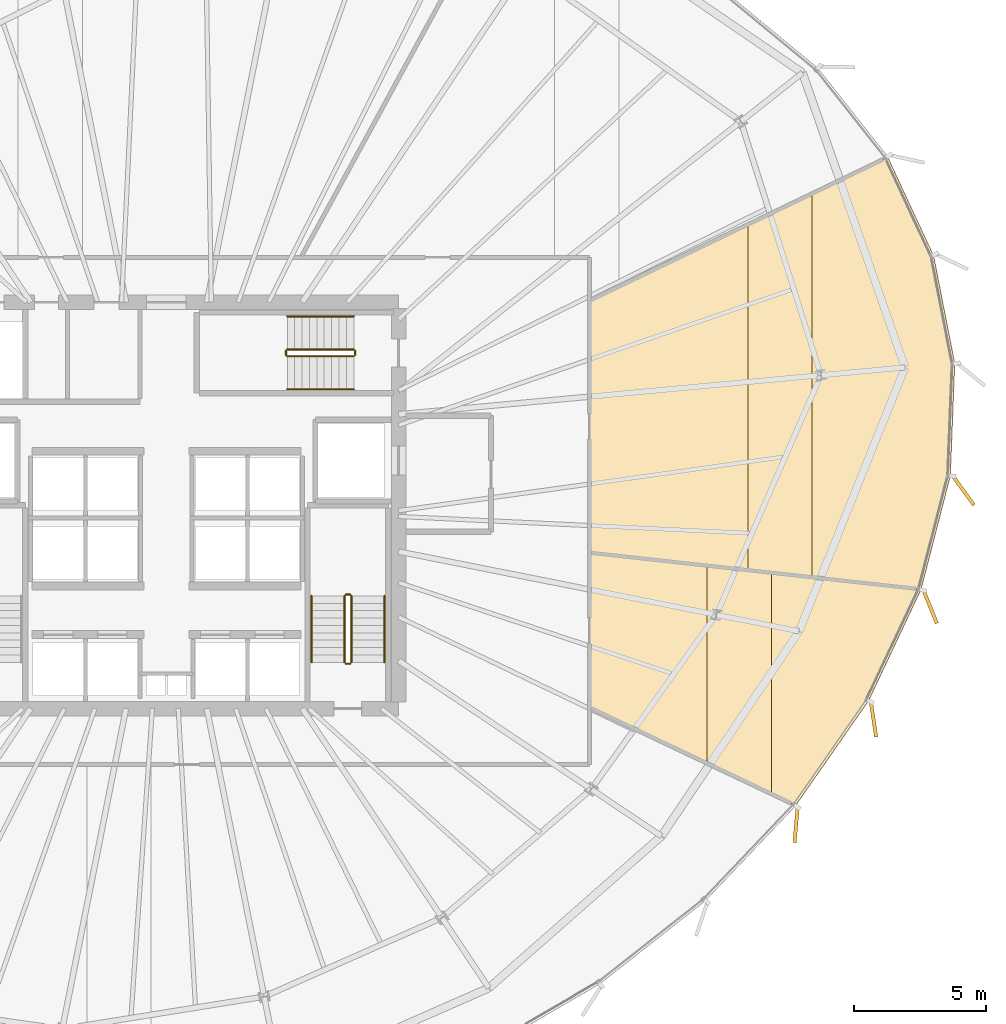
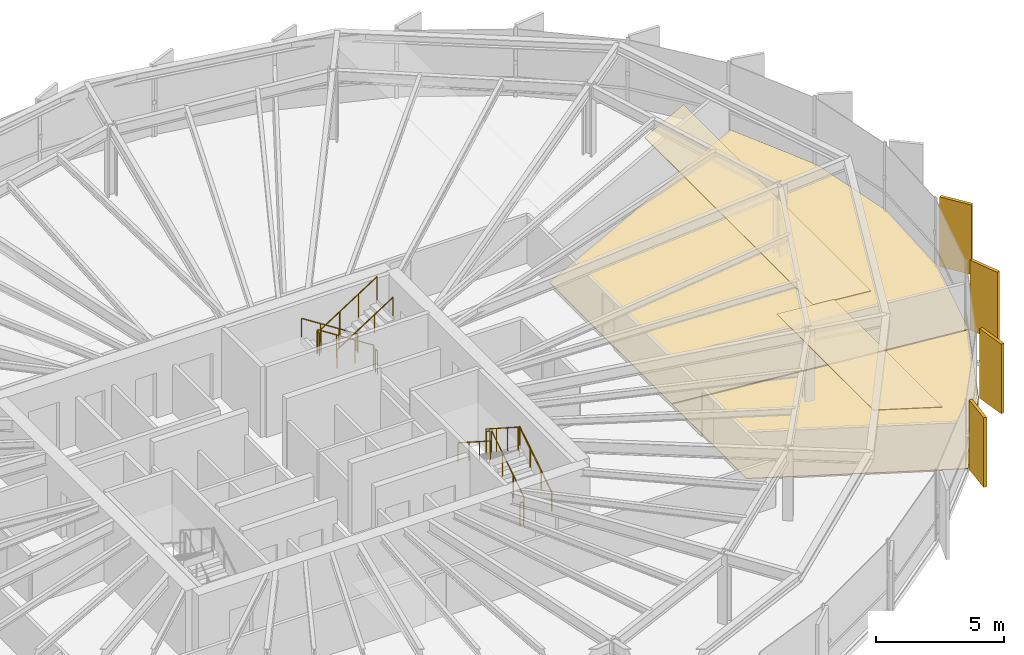
# One storey, part 34 of 35: 12 railings, 8 coverings.
"""IFC4 building model written with IfcOpenShell, lengths in metres."""

import ifcopenshell
import ifcopenshell.guid

model = None  # the IFC model being written
_history = None  # IfcOwnerHistory: only IFC2X3 demands one
_inside = {}  # id of a spatial element -> (the spatial element, [elements in it])
_under = {}  # id of a project, library or spatial element -> (it, [spatial elements below it])
_declared = {}  # id of a project -> (the project, [libraries it declares])
_typed = {}  # id of a type object -> (the type object, [elements of that type])
_made_of = {}  # id of a material, layer set ... -> (it, [elements and type objects made of it])


def new_model(schema):
    """Start an empty IFC model of exactly this schema.

    Asked for "IFC4X3", IfcOpenShell would pick the latest addendum, in which some entities
    have other attributes; the version numbers below select the first issue.
    IFC2X3 requires an IfcOwnerHistory on every rooted entity: one is made here for all.
    """
    global model, _history
    if schema == "IFC4X3":
        model = ifcopenshell.file(schema_version=(4, 3, 0, 0))
    else:
        model = ifcopenshell.file(schema=schema)
    _inside.clear()
    _under.clear()
    _declared.clear()
    _typed.clear()
    _made_of.clear()
    _history = None
    if model.schema == "IFC2X3":
        org = make("IfcOrganization", Name="unknown")
        user = make(
            "IfcPersonAndOrganization",
            ThePerson=make("IfcPerson", FamilyName="unknown"),
            TheOrganization=org,
        )
        app = make(
            "IfcApplication",
            ApplicationDeveloper=org,
            Version="unknown",
            ApplicationFullName="unknown",
            ApplicationIdentifier="unknown",
        )
        _history = make(
            "IfcOwnerHistory",
            OwningUser=user,
            OwningApplication=app,
            ChangeAction="ADDED",
            CreationDate=0,
        )
    return model


def make(cls, **values):
    """One entity of the class cls with the attributes given. An attribute that is None is left unset."""
    return model.create_entity(
        cls, **{name: value for name, value in values.items() if value is not None}
    )


def rooted(cls, **values):
    """An entity with a GlobalId (a new one), such as an element, a storey or a relation."""
    return make(cls, GlobalId=ifcopenshell.guid.new(), OwnerHistory=_history, **values)


def si_unit(unit_type, name, prefix=None):
    """IfcSIUnit, for example si_unit("LENGTHUNIT", "METRE", prefix="MILLI")."""
    return make("IfcSIUnit", UnitType=unit_type, Prefix=prefix, Name=name)


def assignment(units):
    """IfcUnitAssignment: the units of a project."""
    return None if units is None else make("IfcUnitAssignment", Units=units)


def point(xyz):
    """IfcCartesianPoint."""
    return None if xyz is None else make("IfcCartesianPoint", Coordinates=xyz)


def direction(xyz):
    """IfcDirection."""
    return None if xyz is None else make("IfcDirection", DirectionRatios=xyz)


def frame(location, z_axis=None, x_axis=None):
    """IfcAxis2Placement3D, a coordinate frame: its origin and axes. An axis left out is left unset."""
    return make(
        "IfcAxis2Placement3D",
        Location=point(location),
        Axis=direction(z_axis),
        RefDirection=direction(x_axis),
    )


def frame_2d(location, x_axis=None):
    """IfcAxis2Placement2D, a coordinate frame in the plane: its origin and x axis."""
    return make(
        "IfcAxis2Placement2D", Location=point(location), RefDirection=direction(x_axis)
    )


def origin():
    """The frame at (0, 0, 0) with its axes left unset."""
    return frame((0.0, 0.0, 0.0))


def origin_2d():
    """The frame at (0, 0) in the plane with its x axis left unset."""
    return frame_2d((0.0, 0.0))


def place(relative_to, where):
    """IfcLocalPlacement: puts the frame where relative to a parent placement (None: the world)."""
    return make(
        "IfcLocalPlacement", PlacementRelTo=relative_to, RelativePlacement=where
    )


def context(
    kind, dimensions, precision=None, world=None, true_north=None, identifier=None
):
    """IfcGeometricRepresentationContext, for example the 3D "Model" context."""
    return make(
        "IfcGeometricRepresentationContext",
        ContextIdentifier=identifier,
        ContextType=kind,
        CoordinateSpaceDimension=dimensions,
        Precision=precision,
        WorldCoordinateSystem=world,
        TrueNorth=true_north,
    )


def subcontext(parent, identifier, kind, view, scale=None):
    """IfcGeometricRepresentationSubContext, for example "Body" below "Model"."""
    return make(
        "IfcGeometricRepresentationSubContext",
        ContextIdentifier=identifier,
        ContextType=kind,
        ParentContext=parent,
        TargetScale=scale,
        TargetView=view,
    )


def project(units=None, contexts=None):
    """IfcProject with its units and contexts."""
    return rooted(
        "IfcProject",
        Name="project",
        RepresentationContexts=contexts,
        UnitsInContext=assignment(units),
    )


def spatial(cls, under=None, at=None, **own):
    """A site, building, storey or space (cls), placed at a placement, below another one or the project."""
    s = rooted(cls, ObjectPlacement=at, **own)
    if under is not None:
        _under.setdefault(under.id(), (under, []))[1].append(s)
    return s


def polyline(points):
    """IfcPolyline through the points."""
    return make("IfcPolyline", Points=[point(p) for p in points])


def profile(cls, at=None, kind="AREA", **sizes):
    """A parametric profile (cls). Its sizes go by their IFC names, for example OverallWidth=200.0."""
    return make(cls, ProfileType=kind, Position=at, **sizes)


def rectangle(**sizes):
    """IfcRectangleProfileDef."""
    return profile("IfcRectangleProfileDef", **sizes)


def circle(**sizes):
    """IfcCircleProfileDef."""
    return profile("IfcCircleProfileDef", **sizes)


def outline(outer, holes=None, kind="AREA"):
    """IfcArbitraryClosedProfileDef: a profile drawn as a closed curve; with holes, ...WithVoids."""
    if holes is None:
        return make("IfcArbitraryClosedProfileDef", ProfileType=kind, OuterCurve=outer)
    return make(
        "IfcArbitraryProfileDefWithVoids",
        ProfileType=kind,
        OuterCurve=outer,
        InnerCurves=holes,
    )


def extrude(swept, where, along, depth):
    """IfcExtrudedAreaSolid: the profile swept, set in the frame where, extruded along a direction by depth."""
    return make(
        "IfcExtrudedAreaSolid",
        SweptArea=swept,
        Position=where,
        ExtrudedDirection=direction(along),
        Depth=depth,
    )


def shape(context_of_items, identifier, shape_type, items):
    """IfcShapeRepresentation: the items that make up one representation, for example the "Body"."""
    return make(
        "IfcShapeRepresentation",
        ContextOfItems=context_of_items,
        RepresentationIdentifier=identifier,
        RepresentationType=shape_type,
        Items=items,
    )


def source(mapping_origin, context_of_items, identifier, shape_type, items):
    """IfcRepresentationMap: a shape defined once, which mapped items show again and again."""
    return make(
        "IfcRepresentationMap",
        MappingOrigin=mapping_origin,
        MappedRepresentation=shape(context_of_items, identifier, shape_type, items),
    )


def transform(
    local_origin,
    x_axis=None,
    y_axis=None,
    z_axis=None,
    scale=None,
    scale2=None,
    scale3=None,
    uniform=True,
):
    """IfcCartesianTransformationOperator3D, or its non-uniform kind. x_axis, y_axis, z_axis: its Axis1, 2, 3."""
    if uniform:
        return make(
            "IfcCartesianTransformationOperator3D",
            Axis1=direction(x_axis),
            Axis2=direction(y_axis),
            LocalOrigin=point(local_origin),
            Scale=scale,
            Axis3=direction(z_axis),
        )
    return make(
        "IfcCartesianTransformationOperator3DnonUniform",
        Axis1=direction(x_axis),
        Axis2=direction(y_axis),
        LocalOrigin=point(local_origin),
        Scale=scale,
        Axis3=direction(z_axis),
        Scale2=scale2,
        Scale3=scale3,
    )


def mapped(mapping_source, mapping_target):
    """IfcMappedItem: shows the shape of a source again, moved by a transform."""
    return make(
        "IfcMappedItem", MappingSource=mapping_source, MappingTarget=mapping_target
    )


def material(Name=None, Category=None):
    """IfcMaterial."""
    return make("IfcMaterial", Name=Name, Category=Category)


def layer(
    of_material, thickness, ventilated=None, Name=None, Category=None, Priority=None
):
    """IfcMaterialLayer: one layer of a wall or slab, of a material (None: an air gap)."""
    return make(
        "IfcMaterialLayer",
        Material=of_material,
        LayerThickness=thickness,
        IsVentilated=ventilated,
        Name=Name,
        Category=Category,
        Priority=Priority,
    )


def layer_set(layers, Name=None):
    """IfcMaterialLayerSet."""
    return make("IfcMaterialLayerSet", MaterialLayers=layers, LayerSetName=Name)


def made_of(thing, what):
    """Note that an element or type object is made of a material, layer set ...; save() writes the relation."""
    if what is not None:
        _made_of.setdefault(what.id(), (what, []))[1].append(thing)
    return thing


def type_object(cls, material=None, **own):
    """A type object (cls), such as IfcWallType, which elements share."""
    return made_of(rooted(cls, **own), material)


def element(
    cls,
    number,
    at=None,
    inside=None,
    cuts=None,
    type_object=None,
    material=None,
    context=None,
    identifier="Body",
    shape_type=None,
    held_by="IfcProductDefinitionShape",
    body=None,
    shapes=None,
    **own,
):
    """One element of the class cls, such as IfcWall. Its Tag is "e" and its number.

    at: its placement. inside: the storey or other place that contains it. cuts: it is an
    opening in that element (IfcRelVoidsElement). A single representation is given by context,
    identifier, shape_type and body (its items); several are given by shapes. held_by: the class
    of the entity that holds the representations. save() writes the other relations.
    """
    e = rooted(cls, Tag="e%d" % number, ObjectPlacement=at, **own)
    if body is not None:
        shapes = [shape(context, identifier, shape_type, body)]
    if shapes is not None:
        e.Representation = make(held_by, Representations=shapes)
    if inside is not None:
        _inside.setdefault(inside.id(), (inside, []))[1].append(e)
    if cuts is not None:
        rooted(
            "IfcRelVoidsElement", RelatingBuildingElement=cuts, RelatedOpeningElement=e
        )
    if type_object is not None:
        _typed.setdefault(type_object.id(), (type_object, []))[1].append(e)
    return made_of(e, material)


def aggregate(whole, parts):
    """IfcRelAggregates: a whole, such as a stair, and the parts it consists of."""
    return rooted("IfcRelAggregates", RelatingObject=whole, RelatedObjects=parts)


def save(model, path):
    """Write the relations noted so far, then the file.

    IfcRelAggregates (storeys below a building ...), IfcRelContainedInSpatialStructure (elements
    in a storey), IfcRelDefinesByType, IfcRelAssociatesMaterial and IfcRelDeclares: one each for
    every whole, place, type object, material and project.
    """
    for whole, parts in _under.values():
        aggregate(whole, parts)
    for where, things in _inside.values():
        rooted(
            "IfcRelContainedInSpatialStructure",
            RelatedElements=things,
            RelatingStructure=where,
        )
    for kind, things in _typed.values():
        rooted("IfcRelDefinesByType", RelatedObjects=things, RelatingType=kind)
    for what, things in _made_of.values():
        rooted("IfcRelAssociatesMaterial", RelatedObjects=things, RelatingMaterial=what)
    for by, libraries in _declared.values():
        rooted("IfcRelDeclares", RelatingContext=by, RelatedDefinitions=libraries)
    model.write(path)


model = new_model("IFC4")

# Units and contexts
model_context = context("Model", 3, precision=1e-05, world=origin(), true_north=direction((0.0, 1.0)))
body_context = subcontext(model_context, "Body", "Model", "MODEL_VIEW")
ifc_project = project(units=[si_unit("LENGTHUNIT", "METRE"), si_unit("AREAUNIT", "SQUARE_METRE"), si_unit("VOLUMEUNIT", "CUBIC_METRE"), si_unit("PLANEANGLEUNIT", "RADIAN"), si_unit("MASSUNIT", "GRAM", prefix="KILO"), si_unit("THERMODYNAMICTEMPERATUREUNIT", "KELVIN")], contexts=[model_context])

# Site, building, storey
site_placement = place(None, origin())
site = spatial("IfcSite", under=ifc_project, at=site_placement, CompositionType="ELEMENT")
building_placement = place(site_placement, origin())
building = spatial("IfcBuilding", under=site, at=building_placement, Name="Kethvar Cultural Tower", CompositionType="ELEMENT")
storey_placement = place(building_placement, frame((0.0, 0.0, 107.199951171875)))
storey = spatial("IfcBuildingStorey", under=building, at=storey_placement, Name="L26", CompositionType="ELEMENT", Elevation=107.199951171875)

# Coverings
ifc_material_1 = material(Name="Acoustic Mineral Fibre Ceiling")
ifc_layer_1 = layer(ifc_material_1, 0.0400390625, Name="Acoustic Mineral Fibre Ceiling")
ifc_layer_set_1 = layer_set([ifc_layer_1], Name="Acoustic Mineral Fibre Ceiling (40 mm)")
covering_type_1 = type_object("IfcCoveringType", Name="CV-ACOUSTIC-CEIL", PredefinedType="CEILING", material=ifc_layer_set_1)
covering_1_placement = place(storey_placement, frame((0.0, 0.0, 3.0)))
element("IfcCovering", 1, at=covering_1_placement, inside=storey, type_object=covering_type_1, Name="L26 Room 02 Acoustic Ceiling Panel", PredefinedType="CEILING", context=body_context, shape_type="SweptSolid", body=[
    extrude(outline(polyline([(67.294677734375, 17.9892578125), (67.294677734375, 25.529541015625), (69.724609375, 25.2578125), (69.724609375, 16.82861328125), (67.294677734375, 17.9892578125)])), origin(), (0.0, 0.0, 1.0), 0.0400390625),
])
covering_2_placement = place(storey_placement, frame((0.0, 0.0, 3.0)))
element("IfcCovering", 2, at=covering_2_placement, inside=storey, type_object=covering_type_1, Name="L26 Room 03 Acoustic Ceiling Panel", PredefinedType="CEILING", context=body_context, shape_type="SweptSolid", body=[
    extrude(outline(polyline([(68.832763671875, 25.3173828125), (68.832763671875, 38.477783203125), (71.2626953125, 39.653076171875), (71.2626953125, 25.0458984375), (68.832763671875, 25.3173828125)])), origin(), (0.0, 0.0, 1.0), 0.0400390625),
])
ifc_material_2 = material(Name="Architectural Oak Timber", Category="wood")
ifc_layer_2 = layer(ifc_material_2, 0.02490234375, Name="Architectural Oak Timber", Category="wood")
ifc_layer_set_2 = layer_set([ifc_layer_2], Name="Architectural Oak Timber (25 mm)")
covering_type_2 = type_object("IfcCoveringType", Name="CV-OAK-FLOOR", PredefinedType="FLOORING", material=ifc_layer_set_2)
covering_3_placement = place(storey_placement, origin())
element("IfcCovering", 3, at=covering_3_placement, inside=storey, type_object=covering_type_2, Name="L26 Room 02 Floor Finish", PredefinedType="FLOORING", context=body_context, shape_type="SweptSolid", body=[
    extrude(outline(polyline([(73.4072265625, 20.397705078125), (70.647216796875, 16.4326171875), (62.85009765625, 20.156494140625), (62.85009765625, 25.986083984375), (75.38330078125, 24.585205078125), (73.4072265625, 20.397705078125)])), origin(), (0.0, 0.0, 1.0), 0.025146484375),
])
covering_4_placement = place(storey_placement, origin())
element("IfcCovering", 4, at=covering_4_placement, inside=storey, type_object=covering_type_2, Name="L26 Room 03 Floor Finish", PredefinedType="FLOORING", context=body_context, shape_type="SweptSolid", body=[
    extrude(outline(polyline([(76.5048828125, 28.913818359375), (75.398193359375, 24.623779296875), (62.85009765625, 26.0263671875), (62.85009765625, 35.5400390625), (74.1337890625, 40.9970703125), (75.87548828125, 37.247314453125), (76.674072265625, 33.172119140625), (76.5048828125, 28.913818359375)])), origin(), (0.0, 0.0, 1.0), 0.025146484375),
])

# Railings
ifc_material_3 = material(Name="Steel S355J2", Category="steel")
railing_type_1 = type_object("IfcRailingType", Name="RL-STAIR-GUARD", PredefinedType="BALUSTRADE", material=ifc_material_3)
railing_1_placement = place(storey_placement, frame((53.81005859375, 21.85009765625, 0.179931640625)))
element("IfcRailing", 5, at=railing_1_placement, inside=storey, type_object=railing_type_1, Name="L26 ST-02 stair guard 1", PredefinedType="BALUSTRADE", context=body_context, shape_type="SweptSolid", body=[
    extrude(circle(Radius=0.02392578125, at=origin_2d()), frame((0.0, 0.0, 1.09619140625), z_axis=(0.0, 0.841162588446, 0.540782303519), x_axis=(-1.0, 0.0, 0.0)), (0.0, 0.0, 1.0), 2.995849609375),
    extrude(circle(Radius=0.02099609375, at=origin_2d()), origin(), (0.0, 0.0, 1.0), 1.072021484375),
    extrude(circle(Radius=0.02099609375, at=origin_2d()), frame((0.0, 0.840087890625, 0.5400390625)), (0.0, 0.0, 1.0), 1.072021484375),
    extrude(circle(Radius=0.02099609375, at=origin_2d()), frame((0.0, 1.679931640625, 1.080078125)), (0.0, 0.0, 1.0), 1.072021484375),
    extrude(circle(Radius=0.02099609375, at=origin_2d()), frame((0.0, 2.52001953125, 1.6201171875)), (0.0, 0.0, 1.0), 1.072021484375),
])
railing_2_placement = place(storey_placement, frame((53.760009765625, 24.419921875, 1.800048828125)))
element("IfcRailing", 6, at=railing_2_placement, inside=storey, type_object=railing_type_1, Name="L26 ST-02 stair guard 2", PredefinedType="BALUSTRADE", context=body_context, shape_type="SweptSolid", body=[
    extrude(circle(Radius=0.02392578125, at=origin_2d()), frame((0.0, 0.0, 1.09619140625), z_axis=(-1.0, 0.0, 0.0), x_axis=(0.0, -1.0, 0.0)), (0.0, 0.0, 1.0), 0.159912109375),
    extrude(circle(Radius=0.02099609375, at=origin_2d()), origin(), (0.0, 0.0, 1.0), 1.072021484375),
    extrude(circle(Radius=0.02099609375, at=origin_2d()), frame((-0.159912109375, 0.0, 0.0)), (0.0, 0.0, 1.0), 1.072021484375),
])
railing_3_placement = place(storey_placement, frame((53.550048828125, 24.3701171875, 1.97998046875)))
element("IfcRailing", 7, at=railing_3_placement, inside=storey, type_object=railing_type_1, Name="L26 ST-02 stair guard 3", PredefinedType="BALUSTRADE", context=body_context, shape_type="SweptSolid", body=[
    extrude(circle(Radius=0.02392578125, at=origin_2d()), frame((0.0, 0.0, 1.09619140625), z_axis=(0.0, -0.841162588446, 0.540782303519), x_axis=(1.0, 0.0, 0.0)), (0.0, 0.0, 1.0), 2.995849609375),
    extrude(circle(Radius=0.02099609375, at=origin_2d()), origin(), (0.0, 0.0, 1.0), 1.072021484375),
    extrude(circle(Radius=0.02099609375, at=origin_2d()), frame((0.0, -0.840087890625, 0.5400390625)), (0.0, 0.0, 1.0), 1.072021484375),
    extrude(circle(Radius=0.02099609375, at=origin_2d()), frame((0.0, -1.679931640625, 1.080078125)), (0.0, 0.0, 1.0), 1.072021484375),
    extrude(circle(Radius=0.02099609375, at=origin_2d()), frame((0.0, -2.52001953125, 1.6201171875)), (0.0, 0.0, 1.0), 1.072021484375),
])
railing_4_placement = place(storey_placement, frame((53.760009765625, 21.800048828125, 0.0)))
element("IfcRailing", 8, at=railing_4_placement, inside=storey, type_object=railing_type_1, Name="L26 ST-02 stair guard 4", PredefinedType="BALUSTRADE", context=body_context, shape_type="SweptSolid", body=[
    extrude(circle(Radius=0.02392578125, at=origin_2d()), frame((0.0, 0.0, 1.09619140625), z_axis=(-1.0, 0.0, 0.0), x_axis=(0.0, -1.0, 0.0)), (0.0, 0.0, 1.0), 0.159912109375),
    extrude(circle(Radius=0.02099609375, at=origin_2d()), origin(), (0.0, 0.0, 1.0), 1.072021484375),
    extrude(circle(Radius=0.02099609375, at=origin_2d()), frame((-0.159912109375, 0.0, 0.0)), (0.0, 0.0, 1.0), 1.072021484375),
])
railing_5_placement = place(storey_placement, frame((53.89990234375, 33.7099609375, 0.179931640625)))
element("IfcRailing", 9, at=railing_5_placement, inside=storey, type_object=railing_type_1, Name="L26 ST-03 stair guard 1", PredefinedType="BALUSTRADE", context=body_context, shape_type="SweptSolid", body=[
    extrude(circle(Radius=0.02392578125, at=origin_2d()), frame((0.0, 0.0, 1.09619140625), z_axis=(-0.841162588446, 0.0, 0.540782303519), x_axis=(0.0, -1.0, 0.0)), (0.0, 0.0, 1.0), 2.995849609375),
    extrude(circle(Radius=0.02099609375, at=origin_2d()), origin(), (0.0, 0.0, 1.0), 1.072021484375),
    extrude(circle(Radius=0.02099609375, at=origin_2d()), frame((-0.840087890625, 0.0, 0.5400390625)), (0.0, 0.0, 1.0), 1.072021484375),
    extrude(circle(Radius=0.02099609375, at=origin_2d()), frame((-1.679931640625, 0.0, 1.080078125)), (0.0, 0.0, 1.0), 1.072021484375),
    extrude(circle(Radius=0.02099609375, at=origin_2d()), frame((-2.52001953125, 0.0, 1.6201171875)), (0.0, 0.0, 1.0), 1.072021484375),
])
railing_6_placement = place(storey_placement, frame((51.330078125, 33.659912109375, 1.800048828125)))
element("IfcRailing", 10, at=railing_6_placement, inside=storey, type_object=railing_type_1, Name="L26 ST-03 stair guard 2", PredefinedType="BALUSTRADE", context=body_context, shape_type="SweptSolid", body=[
    extrude(circle(Radius=0.02392578125, at=origin_2d()), frame((0.0, 0.0, 1.09619140625), z_axis=(0.0, -1.0, 0.0), x_axis=(1.0, 0.0, 0.0)), (0.0, 0.0, 1.0), 0.159912109375),
    extrude(circle(Radius=0.02099609375, at=origin_2d()), origin(), (0.0, 0.0, 1.0), 1.072021484375),
    extrude(circle(Radius=0.02099609375, at=origin_2d()), frame((0.0, -0.159912109375, 0.0)), (0.0, 0.0, 1.0), 1.072021484375),
])
railing_7_placement = place(storey_placement, frame((51.3798828125, 33.449951171875, 1.97998046875)))
element("IfcRailing", 11, at=railing_7_placement, inside=storey, type_object=railing_type_1, Name="L26 ST-03 stair guard 3", PredefinedType="BALUSTRADE", context=body_context, shape_type="SweptSolid", body=[
    extrude(circle(Radius=0.02392578125, at=origin_2d()), frame((0.0, 0.0, 1.09619140625), z_axis=(0.841162588446, 0.0, 0.540782303519), x_axis=(0.0, 1.0, 0.0)), (0.0, 0.0, 1.0), 2.995849609375),
    extrude(circle(Radius=0.02099609375, at=origin_2d()), origin(), (0.0, 0.0, 1.0), 1.072021484375),
    extrude(circle(Radius=0.02099609375, at=origin_2d()), frame((0.840087890625, 0.0, 0.5400390625)), (0.0, 0.0, 1.0), 1.072021484375),
    extrude(circle(Radius=0.02099609375, at=origin_2d()), frame((1.679931640625, 0.0, 1.080078125)), (0.0, 0.0, 1.0), 1.072021484375),
    extrude(circle(Radius=0.02099609375, at=origin_2d()), frame((2.52001953125, 0.0, 1.6201171875)), (0.0, 0.0, 1.0), 1.072021484375),
])
railing_8_placement = place(storey_placement, frame((53.949951171875, 33.659912109375, 0.0)))
element("IfcRailing", 12, at=railing_8_placement, inside=storey, type_object=railing_type_1, Name="L26 ST-03 stair guard 4", PredefinedType="BALUSTRADE", context=body_context, shape_type="SweptSolid", body=[
    extrude(circle(Radius=0.02392578125, at=origin_2d()), frame((0.0, 0.0, 1.09619140625), z_axis=(0.0, -1.0, 0.0), x_axis=(1.0, 0.0, 0.0)), (0.0, 0.0, 1.0), 0.159912109375),
    extrude(circle(Radius=0.02099609375, at=origin_2d()), origin(), (0.0, 0.0, 1.0), 1.072021484375),
    extrude(circle(Radius=0.02099609375, at=origin_2d()), frame((0.0, -0.159912109375, 0.0)), (0.0, 0.0, 1.0), 1.072021484375),
])
railing_type_2 = type_object("IfcRailingType", Name="RL-STAIR-HANDRAIL", PredefinedType="HANDRAIL", material=ifc_material_3)
railing_9_placement = place(storey_placement, frame((55.06005859375, 21.85009765625, 0.179931640625)))
element("IfcRailing", 13, at=railing_9_placement, inside=storey, type_object=railing_type_2, Name="L26 ST-02 stair handrail 1", PredefinedType="HANDRAIL", context=body_context, shape_type="SweptSolid", body=[
    extrude(circle(Radius=0.02392578125, at=origin_2d()), frame((0.0, 0.0, 0.8759765625), z_axis=(0.0, 0.841162588446, 0.540782303519), x_axis=(-1.0, 0.0, 0.0)), (0.0, 0.0, 1.0), 2.995849609375),
    extrude(circle(Radius=0.02099609375, at=origin_2d()), origin(), (0.0, 0.0, 1.0), 0.851806640625),
    extrude(circle(Radius=0.02099609375, at=origin_2d()), frame((0.0, 0.840087890625, 0.5400390625)), (0.0, 0.0, 1.0), 0.851806640625),
    extrude(circle(Radius=0.02099609375, at=origin_2d()), frame((0.0, 1.679931640625, 1.080078125)), (0.0, 0.0, 1.0), 0.851806640625),
    extrude(circle(Radius=0.02099609375, at=origin_2d()), frame((0.0, 2.52001953125, 1.6201171875)), (0.0, 0.0, 1.0), 0.851806640625),
])
railing_10_placement = place(storey_placement, frame((52.300048828125, 24.3701171875, 1.97998046875)))
element("IfcRailing", 14, at=railing_10_placement, inside=storey, type_object=railing_type_2, Name="L26 ST-02 stair handrail 2", PredefinedType="HANDRAIL", context=body_context, shape_type="SweptSolid", body=[
    extrude(circle(Radius=0.02392578125, at=origin_2d()), frame((0.0, 0.0, 0.8759765625), z_axis=(0.0, -0.841162588446, 0.540782303519), x_axis=(1.0, 0.0, 0.0)), (0.0, 0.0, 1.0), 2.995849609375),
    extrude(circle(Radius=0.02099609375, at=origin_2d()), origin(), (0.0, 0.0, 1.0), 0.851806640625),
    extrude(circle(Radius=0.02099609375, at=origin_2d()), frame((0.0, -0.840087890625, 0.5400390625)), (0.0, 0.0, 1.0), 0.851806640625),
    extrude(circle(Radius=0.02099609375, at=origin_2d()), frame((0.0, -1.679931640625, 1.080078125)), (0.0, 0.0, 1.0), 0.851806640625),
    extrude(circle(Radius=0.02099609375, at=origin_2d()), frame((0.0, -2.52001953125, 1.6201171875)), (0.0, 0.0, 1.0), 0.851806640625),
])
railing_11_placement = place(storey_placement, frame((53.89990234375, 34.9599609375, 0.179931640625)))
element("IfcRailing", 15, at=railing_11_placement, inside=storey, type_object=railing_type_2, Name="L26 ST-03 stair handrail 1", PredefinedType="HANDRAIL", context=body_context, shape_type="SweptSolid", body=[
    extrude(circle(Radius=0.02392578125, at=origin_2d()), frame((0.0, 0.0, 0.8759765625), z_axis=(-0.841162588446, 0.0, 0.540782303519), x_axis=(0.0, -1.0, 0.0)), (0.0, 0.0, 1.0), 2.995849609375),
    extrude(circle(Radius=0.02099609375, at=origin_2d()), origin(), (0.0, 0.0, 1.0), 0.851806640625),
    extrude(circle(Radius=0.02099609375, at=origin_2d()), frame((-0.840087890625, 0.0, 0.5400390625)), (0.0, 0.0, 1.0), 0.851806640625),
    extrude(circle(Radius=0.02099609375, at=origin_2d()), frame((-1.679931640625, 0.0, 1.080078125)), (0.0, 0.0, 1.0), 0.851806640625),
    extrude(circle(Radius=0.02099609375, at=origin_2d()), frame((-2.52001953125, 0.0, 1.6201171875)), (0.0, 0.0, 1.0), 0.851806640625),
])
railing_12_placement = place(storey_placement, frame((51.3798828125, 32.199951171875, 1.97998046875)))
element("IfcRailing", 16, at=railing_12_placement, inside=storey, type_object=railing_type_2, Name="L26 ST-03 stair handrail 2", PredefinedType="HANDRAIL", context=body_context, shape_type="SweptSolid", body=[
    extrude(circle(Radius=0.02392578125, at=origin_2d()), frame((0.0, 0.0, 0.8759765625), z_axis=(0.841162588446, 0.0, 0.540782303519), x_axis=(0.0, 1.0, 0.0)), (0.0, 0.0, 1.0), 2.995849609375),
    extrude(circle(Radius=0.02099609375, at=origin_2d()), origin(), (0.0, 0.0, 1.0), 0.851806640625),
    extrude(circle(Radius=0.02099609375, at=origin_2d()), frame((0.840087890625, 0.0, 0.5400390625)), (0.0, 0.0, 1.0), 0.851806640625),
    extrude(circle(Radius=0.02099609375, at=origin_2d()), frame((1.679931640625, 0.0, 1.080078125)), (0.0, 0.0, 1.0), 0.851806640625),
    extrude(circle(Radius=0.02099609375, at=origin_2d()), frame((2.52001953125, 0.0, 1.6201171875)), (0.0, 0.0, 1.0), 0.851806640625),
])

# Coverings
ifc_material_4 = material(Name="Extruded Architectural Terracotta", Category="masonry")
ifc_layer_3 = layer(ifc_material_4, 0.135009765625, Name="Extruded Architectural Terracotta", Category="masonry")
ifc_layer_set_3 = layer_set([ifc_layer_3], Name="Extruded Architectural Terracotta (135 mm)")
covering_type_3 = type_object("IfcCoveringType", Name="Terracotta Facade Fin FIN-02", PredefinedType="CLADDING", material=ifc_layer_set_3)
shared_shape = source(origin(), body_context, "Body", "SweptSolid", [
    extrude(rectangle(XDim=1.35009765625, YDim=0.135009765625, at=origin_2d()), origin(), (0.0, 0.0, 1.0), 3.31005859375),
])
for number, where, z_axis, x_axis, name in (
    (17, (70.6611328125, 15.68896484375, 0.02001953125), (0.0, 0.0, 1.0), (-0.086286365798, -0.996270376493, 0.0), "L26 Vertical Terracotta Fin 6.2"),
    (18, (73.595947265625, 19.685791015625, 0.02001953125), (0.0, 0.0, 1.0), (0.146600990296, -0.989195708464, 0.0), "L26 Vertical Terracotta Fin 6.3"),
    (19, (75.743408203125, 23.9560546875, 0.02001953125), (0.0, 0.0, 1.0), (0.374444763601, -0.927249221629, 0.0), "L26 Vertical Terracotta Fin 6.4"),
    (20, (77.00146484375, 28.36181640625, 0.02001953125), (0.0, 0.0, 1.0), (0.587926443442, -0.808914394174, 0.0), "L26 Vertical Terracotta Fin 6.5"),
):
    element("IfcCovering", number, at=place(storey_placement, frame(where, z_axis=z_axis, x_axis=x_axis)), inside=storey, type_object=covering_type_3, Name=name, PredefinedType="CLADDING", context=body_context, shape_type="MappedRepresentation", body=[
        mapped(shared_shape, transform((0.0, 0.0, 0.0), scale=1.0)),
    ])

save(model, "model.ifc")
